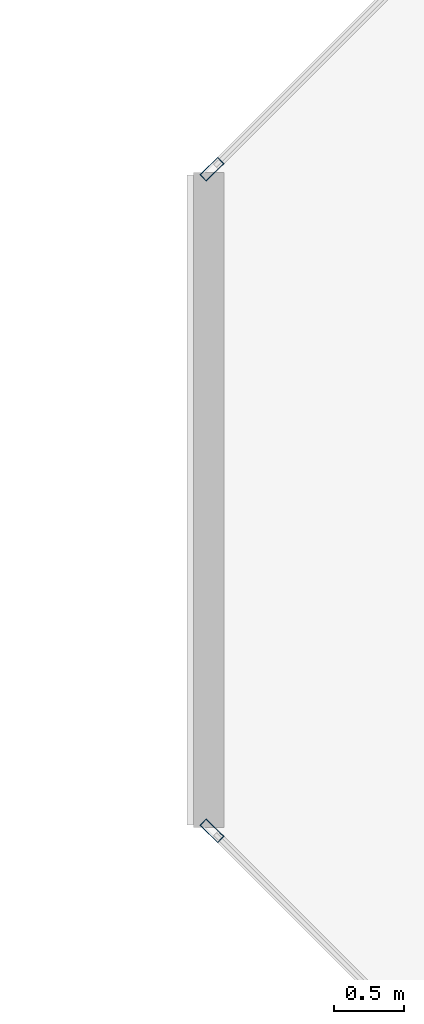
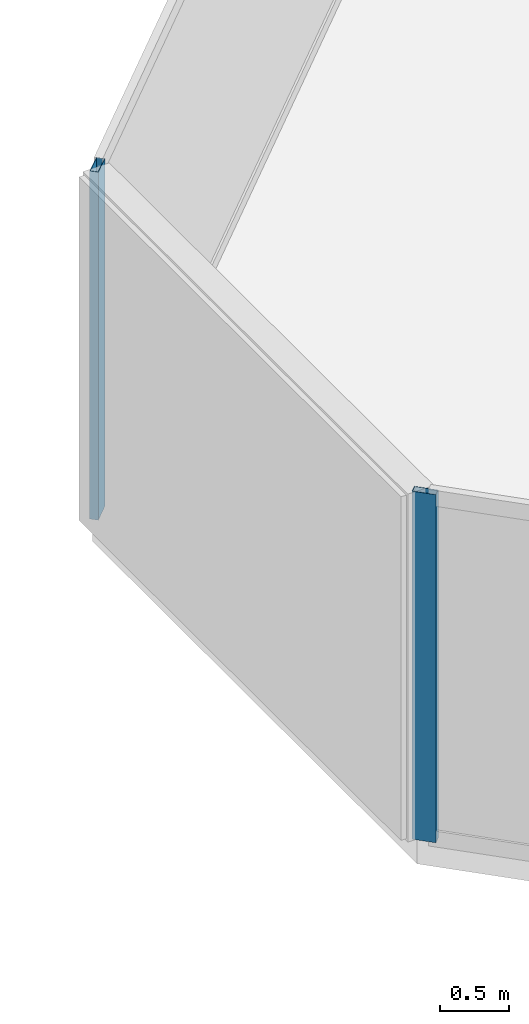
# One storey, part 7 of 29: 2 members, 2 elements without a shape of their own.
"""IFC4 building model written with IfcOpenShell, lengths in metres."""

from ifc_helpers import new_model, si_unit, direction, frame, origin, origin_2d, place, context, subcontext, project, spatial, hollow_rectangle, extrude, material, layer, layer_set, material_profile, profile_set, type_object, element, aggregate, save


model = new_model("IFC4")

# Units and contexts
model_context = context("Model", 3, precision=1e-05, world=origin(), true_north=direction((0.0, 1.0)))
body_context = subcontext(model_context, "Body", "Model", "MODEL_VIEW")
ifc_project = project(units=[si_unit("LENGTHUNIT", "METRE"), si_unit("AREAUNIT", "SQUARE_METRE"), si_unit("VOLUMEUNIT", "CUBIC_METRE"), si_unit("PLANEANGLEUNIT", "RADIAN"), si_unit("MASSUNIT", "GRAM", prefix="KILO")], contexts=[model_context])

# Site, building, storey
site_placement = place(None, origin())
site = spatial("IfcSite", under=ifc_project, at=site_placement, CompositionType="ELEMENT")
building_placement = place(site_placement, origin())
building = spatial("IfcBuilding", under=site, at=building_placement, Name="Tanjung Sevakor Pilgrim Tower", CompositionType="ELEMENT")
storey_placement = place(building_placement, frame((0.0, 0.0, 232.64990234375)))
storey = spatial("IfcBuildingStorey", under=building, at=storey_placement, Name="L65", CompositionType="ELEMENT", Elevation=232.64990234375)

# Curtain wall, member
ifc_material_1 = material(Name="Aluminium 6063-T6 and Low-E Glass", Category="aluminium")
ifc_layer = layer(ifc_material_1, 0.179931640625)
ifc_layer_set = layer_set([ifc_layer], Name="CW-SYS-CHAM")
curtain_wall_type = type_object("IfcCurtainWallType", Name="CW-SYS-CHAM", PredefinedType="NOTDEFINED", material=ifc_layer_set)
curtain_wall_1_placement = place(storey_placement, origin())
curtain_wall_1 = element("IfcCurtainWall", 1, at=curtain_wall_1_placement, inside=storey, type_object=curtain_wall_type, Name="L65 Curtain Wall CW-CHM-L65-EAST-5", PredefinedType="NOTDEFINED")
ifc_material_2 = material(Name="Aluminium 6063-T6", Category="aluminium")
ifc_material_profile = material_profile(ifc_material_2, hollow_rectangle(XDim=0.06494140625, YDim=0.179931640625, WallThickness=0.00390625, at=origin_2d()))
ifc_profile_set = profile_set([ifc_material_profile], Name="Aluminium 6063-T6")
member_type = type_object("IfcMemberType", Name="TYPE-CWM-1", PredefinedType="MULLION", material=ifc_profile_set)
member_1_placement = place(storey_placement, frame((52.23291015625, 35.977294921875, 0.0), z_axis=(0.0, 0.0, 1.0), x_axis=(0.707106781187, -0.707106781187, 0.0)))
member_1 = element("IfcMember", 2, at=member_1_placement, type_object=member_type, Name="CW-CHM mullion 2", PredefinedType="MULLION", context=body_context, shape_type="SweptSolid", body=[
    extrude(hollow_rectangle(XDim=0.06494140625, YDim=0.179931640625, WallThickness=0.00390625, at=origin_2d()), origin(), (0.0, 0.0, 1.0), 3.080078125),
])
aggregate(curtain_wall_1, [member_1])

curtain_wall_2_placement = place(storey_placement, origin())
curtain_wall_2 = element("IfcCurtainWall", 3, at=curtain_wall_2_placement, inside=storey, type_object=curtain_wall_type, Name="L65 Curtain Wall CW-CHM-L65-EAST-7", PredefinedType="NOTDEFINED")
member_2_placement = place(storey_placement, frame((52.23291015625, 31.22265625, 0.0), z_axis=(0.0, 0.0, 1.0), x_axis=(0.707106781187, 0.707106781187, 0.0)))
member_2 = element("IfcMember", 4, at=member_2_placement, type_object=member_type, Name="CW-CHM mullion 1", PredefinedType="MULLION", context=body_context, shape_type="SweptSolid", body=[
    extrude(hollow_rectangle(XDim=0.06494140625, YDim=0.179931640625, WallThickness=0.00390625, at=origin_2d()), origin(), (0.0, 0.0, 1.0), 3.080078125),
])
aggregate(curtain_wall_2, [member_2])

save(model, "model.ifc")
